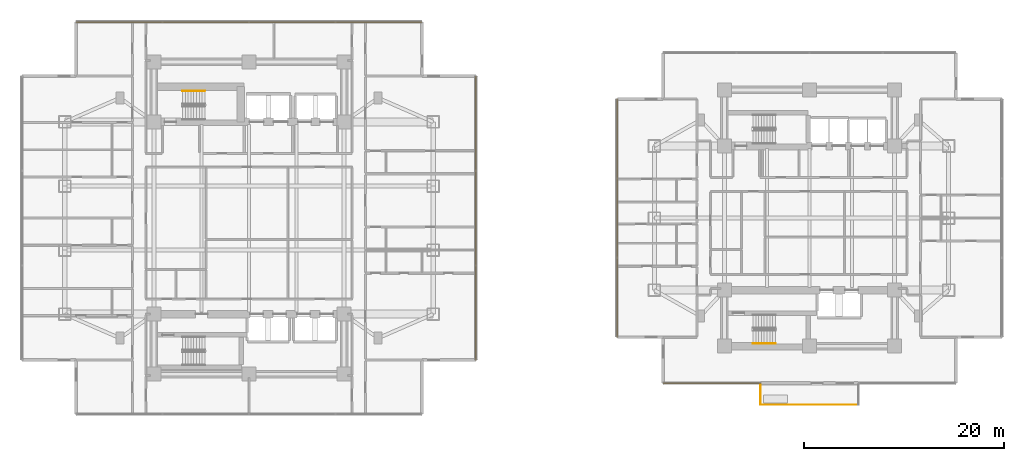
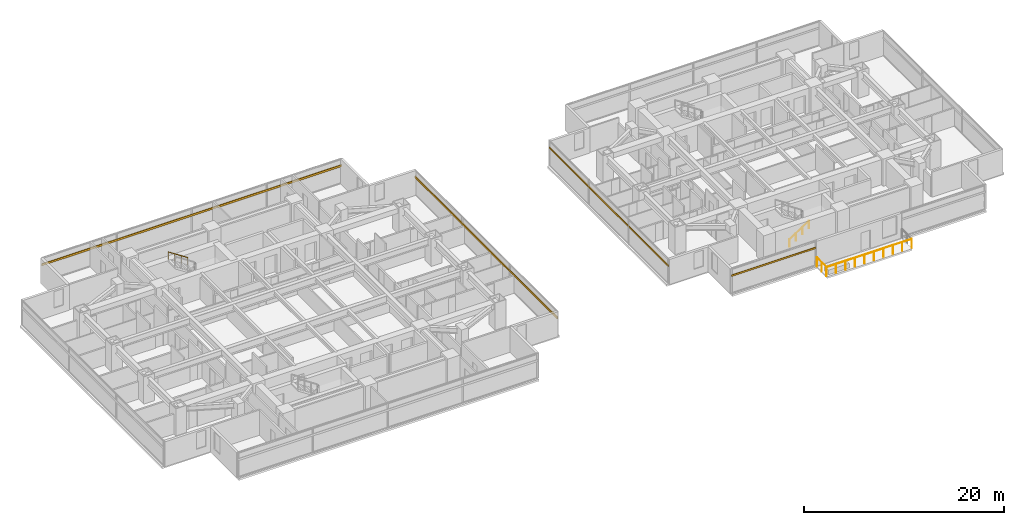
# One storey, part 25 of 27: 4 railings, 4 shading devices.
"""IFC4 building model written with IfcOpenShell, lengths in metres."""

from ifc_helpers import new_model, si_unit, direction, frame, origin, origin_2d, place, context, subcontext, project, spatial, rectangle, circle, extrude, material, material_profile, profile_set, type_object, element, save


model = new_model("IFC4")

# Units and contexts
model_context = context("Model", 3, precision=1e-05, world=origin(), true_north=direction((0.0, 1.0)))
body_context = subcontext(model_context, "Body", "Model", "MODEL_VIEW")
ifc_project = project(units=[si_unit("LENGTHUNIT", "METRE"), si_unit("AREAUNIT", "SQUARE_METRE"), si_unit("VOLUMEUNIT", "CUBIC_METRE"), si_unit("PLANEANGLEUNIT", "RADIAN"), si_unit("MASSUNIT", "GRAM", prefix="KILO")], contexts=[model_context])

# Site, building, storey
site_placement = place(None, origin())
site = spatial("IfcSite", under=ifc_project, at=site_placement, CompositionType="ELEMENT")
building_placement = place(site_placement, origin())
building = spatial("IfcBuilding", under=site, at=building_placement, Name="Mirazonda Arch Towers", CompositionType="ELEMENT")
storey_placement = place(building_placement, frame((0.0, 0.0, 42.199951171875)))
storey = spatial("IfcBuildingStorey", under=building, at=storey_placement, Name="L11", CompositionType="ELEMENT", Elevation=42.199951171875)

# Shading devices
ifc_material_1 = material(Name="Kiln-Fired Architectural Terracotta", Category="masonry")
ifc_material_profile_1 = material_profile(ifc_material_1, rectangle(XDim=0.1201171875, YDim=0.239990234375, at=origin_2d()), Name="TERRA-BAG-120x240")
ifc_profile_set_1 = profile_set([ifc_material_profile_1], Name="Kiln-Fired Architectural Terracotta")
shading_device_type_1 = type_object("IfcShadingDeviceType", Name="BAGUETTE-1", PredefinedType="USERDEFINED", material=ifc_profile_set_1)
shading_device_1_placement = place(storey_placement, frame((43.159912109375, 13.81201171875, 2.18896484375), z_axis=(0.0, 1.0, 0.0), x_axis=(-1.0, 0.0, 0.0)))
element("IfcShadingDevice", 1, at=shading_device_1_placement, inside=storey, type_object=shading_device_type_1, Name="L11 Glazed Terracotta Sun-Screen Baguette CW-L11-T1-E", ObjectType="BAGUETTE", PredefinedType="USERDEFINED", context=body_context, shape_type="SweptSolid", body=[
    extrude(rectangle(XDim=0.1201171875, YDim=0.239990234375, at=origin_2d()), origin(), (0.0, 0.0, 1.0), 28.3759765625),
])
shading_device_2_placement = place(storey_placement, frame((3.219970703125, 47.568115234375, 2.18896484375), z_axis=(1.0, 0.0, 0.0), x_axis=(0.0, 1.0, 0.0)))
element("IfcShadingDevice", 2, at=shading_device_2_placement, inside=storey, type_object=shading_device_type_1, Name="L11 Glazed Terracotta Sun-Screen Baguette CW-L11-T1-N", ObjectType="BAGUETTE", PredefinedType="USERDEFINED", context=body_context, shape_type="SweptSolid", body=[
    extrude(rectangle(XDim=0.1201171875, YDim=0.239990234375, at=origin_2d()), origin(), (0.0, 0.0, 1.0), 34.56005859375),
])
ifc_material_profile_2 = material_profile(ifc_material_1, rectangle(XDim=0.10009765625, YDim=0.199951171875, at=origin_2d()), Name="TERRA-BAG-100x200")
ifc_profile_set_2 = profile_set([ifc_material_profile_2], Name="Kiln-Fired Architectural Terracotta")
shading_device_type_2 = type_object("IfcShadingDeviceType", Name="BAGUETTE-2", PredefinedType="USERDEFINED", material=ifc_profile_set_2)
shading_device_3_placement = place(storey_placement, frame((71.610107421875, 11.520263671875, 2.18896484375), z_axis=(-1.0, 0.0, 0.0), x_axis=(0.0, -1.0, 0.0)))
element("IfcShadingDevice", 3, at=shading_device_3_placement, inside=storey, type_object=shading_device_type_2, Name="L11 Glazed Terracotta Sun-Screen Baguette CW-L11-T2-SB", ObjectType="BAGUETTE", PredefinedType="USERDEFINED", context=body_context, shape_type="SweptSolid", body=[
    extrude(rectangle(XDim=0.10009765625, YDim=0.199951171875, at=origin_2d()), origin(), (0.0, 0.0, 1.0), 9.738037109375),
])
shading_device_4_placement = place(storey_placement, frame((57.2919921875, 39.89990234375, 2.18896484375), z_axis=(0.0, -1.0, 0.0), x_axis=(1.0, 0.0, 0.0)))
element("IfcShadingDevice", 4, at=shading_device_4_placement, inside=storey, type_object=shading_device_type_2, Name="L11 Glazed Terracotta Sun-Screen Baguette CW-L11-T2-W", ObjectType="BAGUETTE", PredefinedType="USERDEFINED", context=body_context, shape_type="SweptSolid", body=[
    extrude(rectangle(XDim=0.10009765625, YDim=0.199951171875, at=origin_2d()), origin(), (0.0, 0.0, 1.0), 23.7998046875),
])

# Railings
ifc_material_2 = material(Name="Architectural Brushed Steel S355", Category="steel")
railing_type_1 = type_object("IfcRailingType", Name="GUARD-EXT-1150", PredefinedType="GUARDRAIL", material=ifc_material_2)
railing_1_placement = place(storey_placement, frame((81.39990234375, 9.35009765625, 0.0)))
element("IfcRailing", 5, at=railing_1_placement, inside=storey, type_object=railing_type_1, Name="L11 T2 Sky-Terrace Guard 02", PredefinedType="GUARDRAIL", context=body_context, shape_type="SweptSolid", body=[
    extrude(circle(Radius=0.02392578125, at=origin_2d()), frame((0.0, 0.0, 1.1259765625), z_axis=(-1.0, 0.0, 0.0), x_axis=(0.0, -1.0, 0.0)), (0.0, 0.0, 1.0), 9.7998046875),
    extrude(circle(Radius=0.02099609375, at=origin_2d()), origin(), (0.0, 0.0, 1.0), 1.101806640625),
    extrude(circle(Radius=0.02099609375, at=origin_2d()), frame((-1.0888671875, 0.0, 0.0)), (0.0, 0.0, 1.0), 1.101806640625),
    extrude(circle(Radius=0.02099609375, at=origin_2d()), frame((-2.177734375, 0.0, 0.0)), (0.0, 0.0, 1.0), 1.101806640625),
    extrude(circle(Radius=0.02099609375, at=origin_2d()), frame((-3.2666015625, 0.0, 0.0)), (0.0, 0.0, 1.0), 1.101806640625),
    extrude(circle(Radius=0.02099609375, at=origin_2d()), frame((-4.35546875, 0.0, 0.0)), (0.0, 0.0, 1.0), 1.101806640625),
    extrude(circle(Radius=0.02099609375, at=origin_2d()), frame((-5.4443359375, 0.0, 0.0)), (0.0, 0.0, 1.0), 1.101806640625),
    extrude(circle(Radius=0.02099609375, at=origin_2d()), frame((-6.533203125, 0.0, 0.0)), (0.0, 0.0, 1.0), 1.101806640625),
    extrude(circle(Radius=0.02099609375, at=origin_2d()), frame((-7.6220703125, 0.0, 0.0)), (0.0, 0.0, 1.0), 1.101806640625),
    extrude(circle(Radius=0.02099609375, at=origin_2d()), frame((-8.7109375, 0.0, 0.0)), (0.0, 0.0, 1.0), 1.101806640625),
    extrude(circle(Radius=0.02099609375, at=origin_2d()), frame((-9.7998046875, 0.0, 0.0)), (0.0, 0.0, 1.0), 1.101806640625),
])
railing_2_placement = place(storey_placement, frame((71.60009765625, 9.35009765625, 0.0)))
element("IfcRailing", 6, at=railing_2_placement, inside=storey, type_object=railing_type_1, Name="L11 T2 Sky-Terrace Guard 03", PredefinedType="GUARDRAIL", context=body_context, shape_type="SweptSolid", body=[
    extrude(circle(Radius=0.02392578125, at=origin_2d()), frame((0.0, 0.0, 1.1259765625), z_axis=(0.0, 1.0, 0.0), x_axis=(-1.0, 0.0, 0.0)), (0.0, 0.0, 1.0), 1.960205078125),
    extrude(circle(Radius=0.02099609375, at=origin_2d()), origin(), (0.0, 0.0, 1.0), 1.101806640625),
    extrude(circle(Radius=0.02099609375, at=origin_2d()), frame((0.0, 0.97998046875, 0.0)), (0.0, 0.0, 1.0), 1.101806640625),
    extrude(circle(Radius=0.02099609375, at=origin_2d()), frame((0.0, 1.960205078125, 0.0)), (0.0, 0.0, 1.0), 1.101806640625),
])
railing_type_2 = type_object("IfcRailingType", Name="HANDRAIL-915", PredefinedType="HANDRAIL", material=ifc_material_2)
railing_3_placement = place(storey_placement, frame((16.090087890625, 40.7099609375, 1.83349609375)))
element("IfcRailing", 7, at=railing_3_placement, inside=storey, type_object=railing_type_2, Name="L11 ST-T1N stair handrail 2", PredefinedType="HANDRAIL", context=body_context, shape_type="SweptSolid", body=[
    extrude(circle(Radius=0.02392578125, at=origin_2d()), frame((0.0, 0.0, 0.8759765625), z_axis=(-0.836636935527, 0.0, 0.547757827979), x_axis=(0.0, -1.0, 0.0)), (0.0, 0.0, 1.0), 2.677490234375),
    extrude(circle(Radius=0.02099609375, at=origin_2d()), origin(), (0.0, 0.0, 1.0), 0.851806640625),
    extrude(circle(Radius=0.02099609375, at=origin_2d()), frame((-0.74658203125, 0.0, 0.48876953125)), (0.0, 0.0, 1.0), 0.851806640625),
    extrude(circle(Radius=0.02099609375, at=origin_2d()), frame((-1.493408203125, 0.0, 0.977783203125)), (0.0, 0.0, 1.0), 0.851806640625),
    extrude(circle(Radius=0.02099609375, at=origin_2d()), frame((-2.239990234375, 0.0, 1.466552734375)), (0.0, 0.0, 1.0), 0.851806640625),
])
railing_4_placement = place(storey_placement, frame((70.85009765625, 15.469970703125, 0.183349609375)))
element("IfcRailing", 8, at=railing_4_placement, inside=storey, type_object=railing_type_2, Name="L11 ST-T2S stair handrail 1", PredefinedType="HANDRAIL", context=body_context, shape_type="SweptSolid", body=[
    extrude(circle(Radius=0.02392578125, at=origin_2d()), frame((0.0, 0.0, 0.8759765625), z_axis=(0.836595146698, 0.0, 0.547821650285), x_axis=(0.0, 1.0, 0.0)), (0.0, 0.0, 1.0), 2.677490234375),
    extrude(circle(Radius=0.02099609375, at=origin_2d()), origin(), (0.0, 0.0, 1.0), 0.851806640625),
    extrude(circle(Radius=0.02099609375, at=origin_2d()), frame((0.74658203125, 0.0, 0.489013671875)), (0.0, 0.0, 1.0), 0.851806640625),
    extrude(circle(Radius=0.02099609375, at=origin_2d()), frame((1.493408203125, 0.0, 0.977783203125)), (0.0, 0.0, 1.0), 0.851806640625),
    extrude(circle(Radius=0.02099609375, at=origin_2d()), frame((2.239990234375, 0.0, 1.466796875)), (0.0, 0.0, 1.0), 0.851806640625),
])

save(model, "model.ifc")
